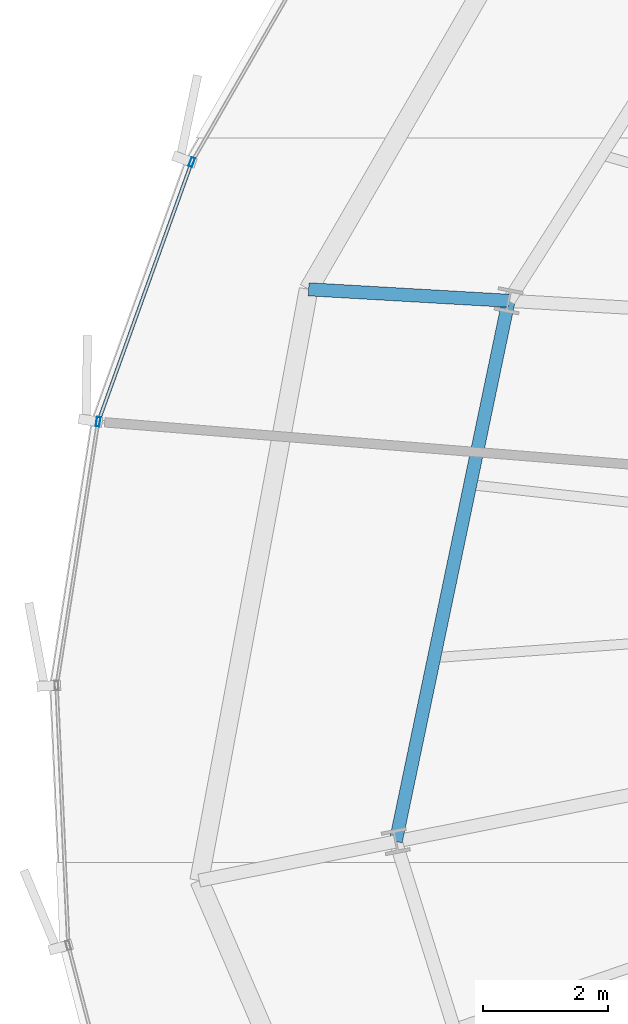
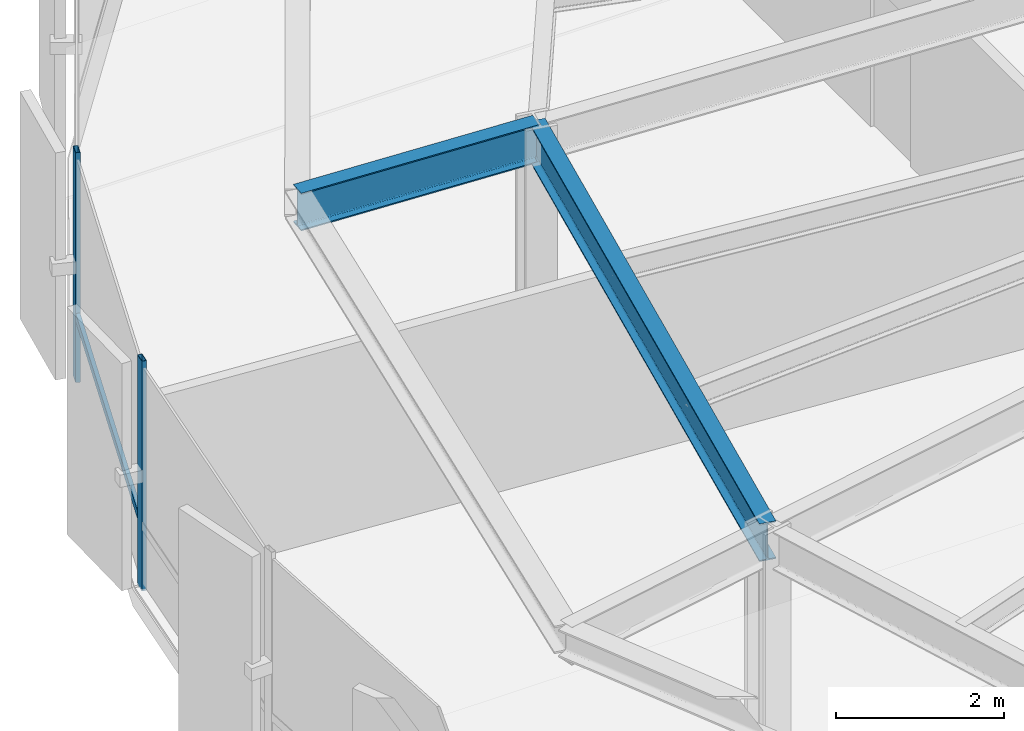
# One storey, part 10 of 33: 3 members, 2 beams, 1 element without a shape of its own.
"""IFC4 building model written with IfcOpenShell, lengths in metres."""

from ifc_helpers import new_model, si_unit, direction, frame, origin, origin_2d, place, context, subcontext, project, spatial, hollow_rectangle, i_section, extrude, source, transform, mapped, material, layer, layer_set, material_profile, profile_set, type_object, element, aggregate, save


model = new_model("IFC4")

# Units and contexts
model_context = context("Model", 3, precision=1e-05, world=origin(), true_north=direction((0.0, 1.0)))
body_context = subcontext(model_context, "Body", "Model", "MODEL_VIEW")
ifc_project = project(units=[si_unit("LENGTHUNIT", "METRE"), si_unit("AREAUNIT", "SQUARE_METRE"), si_unit("VOLUMEUNIT", "CUBIC_METRE"), si_unit("PLANEANGLEUNIT", "RADIAN"), si_unit("MASSUNIT", "GRAM", prefix="KILO"), si_unit("THERMODYNAMICTEMPERATUREUNIT", "KELVIN")], contexts=[model_context])

# Site, building, storey
site_placement = place(None, origin())
site = spatial("IfcSite", under=ifc_project, at=site_placement, CompositionType="ELEMENT")
building_placement = place(site_placement, origin())
building = spatial("IfcBuilding", under=site, at=building_placement, Name="Kethvar Cultural Tower", CompositionType="ELEMENT")
storey_placement = place(building_placement, frame((0.0, 0.0, 118.0)))
storey = spatial("IfcBuildingStorey", under=building, at=storey_placement, Name="L29", CompositionType="ELEMENT", Elevation=118.0)

# Beams
ifc_material_1 = material(Name="Steel S355J2", Category="steel")
ifc_material_profile_1 = material_profile(ifc_material_1, i_section(OverallWidth=0.2099609375, OverallDepth=0.550048828125, WebThickness=0.010986328125, FlangeThickness=0.01708984375, FilletRadius=0.02392578125, at=origin_2d()), Name="Steel S355J2 — IPE550")
ifc_profile_set_1 = profile_set([ifc_material_profile_1], Name="Steel S355J2 — IPE550")
beam_type = type_object("IfcBeamType", Name="BM-IPE550", PredefinedType="BEAM", material=ifc_profile_set_1)
shared_shape_1 = source(origin(), body_context, "Body", "SweptSolid", [
    extrude(i_section(OverallWidth=0.2099609375, OverallDepth=0.550048828125, WebThickness=0.010986328125, FlangeThickness=0.01708984375, FilletRadius=0.02392578125, at=origin_2d()), origin(), (0.0, 0.0, 1.0), 3.2001953125),
])
beam_1_placement = place(storey_placement, frame((25.988525390625, 31.939697265625, 3.072998046875), z_axis=(-0.998357274949, 0.057295301352, 0.0), x_axis=(-0.057295301352, -0.998357274949, 0.0)))
element("IfcBeam", 1, at=beam_1_placement, inside=storey, type_object=beam_type, Name="L29 Perimeter Cantilever Beam RC-08", PredefinedType="BEAM", context=body_context, shape_type="MappedRepresentation", body=[
    mapped(shared_shape_1, transform((0.0, 0.0, 0.0), scale=1.0)),
])
shared_shape_2 = source(origin(), body_context, "Body", "SweptSolid", [
    extrude(i_section(OverallWidth=0.2099609375, OverallDepth=0.550048828125, WebThickness=0.010986328125, FlangeThickness=0.01708984375, FilletRadius=0.02392578125, at=origin_2d()), origin(), (0.0, 0.0, 1.0), 8.82421875),
])
beam_2_placement = place(storey_placement, frame((25.988525390625, 31.939697265625, 3.072998046875), z_axis=(-0.204350879122, -0.978897705688, 0.0), x_axis=(0.978897705688, -0.204350879122, 0.0)))
element("IfcBeam", 2, at=beam_2_placement, inside=storey, type_object=beam_type, Name="L29 Column Ring Tie Beam CR-08", PredefinedType="BEAM", context=body_context, shape_type="MappedRepresentation", body=[
    mapped(shared_shape_2, transform((0.0, 0.0, 0.0), scale=1.0)),
])

# Curtain wall, members
ifc_material_2 = material(Name="Aluminium 6063-T6", Category="aluminium")
ifc_layer = layer(ifc_material_2, 0.179931640625, Name="Aluminium 6063-T6", Category="aluminium")
ifc_layer_set = layer_set([ifc_layer], Name="Aluminium 6063-T6 (180 mm)")
curtain_wall_type = type_object("IfcCurtainWallType", Name="CW-SYS-03-Z2", PredefinedType="NOTDEFINED", material=ifc_layer_set)
curtain_wall_placement = place(storey_placement, origin())
curtain_wall = element("IfcCurtainWall", 3, at=curtain_wall_placement, inside=storey, type_object=curtain_wall_type, Name="L29 Curtain Wall Run 03", PredefinedType="NOTDEFINED")
ifc_material_profile_2 = material_profile(ifc_material_2, hollow_rectangle(XDim=0.06005859375, YDim=0.14990234375, WallThickness=0.0048828125, at=origin_2d()), Name="Aluminium 6063-T6 — RHS150x60x5")
ifc_profile_set_2 = profile_set([ifc_material_profile_2], Name="Aluminium 6063-T6 — RHS150x60x5")
member_type_1 = type_object("IfcMemberType", Name="CW-SYS-03-Z2-MUL", PredefinedType="MULLION", material=ifc_profile_set_2)
shared_shape_3 = source(origin(), body_context, "Body", "SweptSolid", [
    extrude(hollow_rectangle(XDim=0.06005859375, YDim=0.14990234375, WallThickness=0.0048828125, at=origin_2d()), origin(), (0.0, 0.0, 1.0), 3.35009765625),
])
member_1_placement = place(storey_placement, frame((20.927001953125, 34.15380859375, 0.0), z_axis=(0.0, 0.0, 1.0), x_axis=(0.940863031388, -0.338787184183, 0.0)))
member_1 = element("IfcMember", 4, at=member_1_placement, type_object=member_type_1, Name="CW-L29-R03 Mullion 3", PredefinedType="MULLION", context=body_context, shape_type="MappedRepresentation", body=[
    mapped(shared_shape_3, transform((0.0, 0.0, 0.0), scale=1.0)),
])
member_2_placement = place(storey_placement, frame((19.431396484375, 30.0068359375, 0.0), z_axis=(0.0, 0.0, 1.0), x_axis=(0.987873305108, -0.155262143023, 0.0)))
member_2 = element("IfcMember", 5, at=member_2_placement, type_object=member_type_1, Name="CW-L29-R03 Mullion 4", PredefinedType="MULLION", context=body_context, shape_type="MappedRepresentation", body=[
    mapped(shared_shape_3, transform((0.0, 0.0, 0.0), scale=1.0)),
])
ifc_material_profile_3 = material_profile(ifc_material_2, hollow_rectangle(XDim=0.054931640625, YDim=0.1201171875, WallThickness=0.00390625, at=origin_2d()), Name="Aluminium 6063-T6 — RHS120x55x4")
ifc_profile_set_3 = profile_set([ifc_material_profile_3], Name="Aluminium 6063-T6 — RHS120x55x4")
member_type_2 = type_object("IfcMemberType", Name="CW-SYS-03-Z2-TRN", PredefinedType="USERDEFINED", material=ifc_profile_set_3)
shared_shape_4 = source(origin(), body_context, "Body", "SweptSolid", [
    extrude(hollow_rectangle(XDim=0.054931640625, YDim=0.1201171875, WallThickness=0.00390625, at=origin_2d()), origin(), (0.0, 0.0, 1.0), 4.343505859375),
])
member_3_placement = place(storey_placement, frame((20.912353515625, 34.113037109375, 0.949951171875), z_axis=(-0.338816993108, -0.940852297218, 0.0), x_axis=(0.940852297218, -0.338816993108, 0.0)))
member_3 = element("IfcMember", 6, at=member_3_placement, type_object=member_type_2, Name="CW-L29-R03 Transom 3", ObjectType="TRANSOM", PredefinedType="USERDEFINED", context=body_context, shape_type="MappedRepresentation", body=[
    mapped(shared_shape_4, transform((0.0, 0.0, 0.0), scale=1.0)),
])
aggregate(curtain_wall, [member_1, member_2, member_3])

save(model, "model.ifc")
